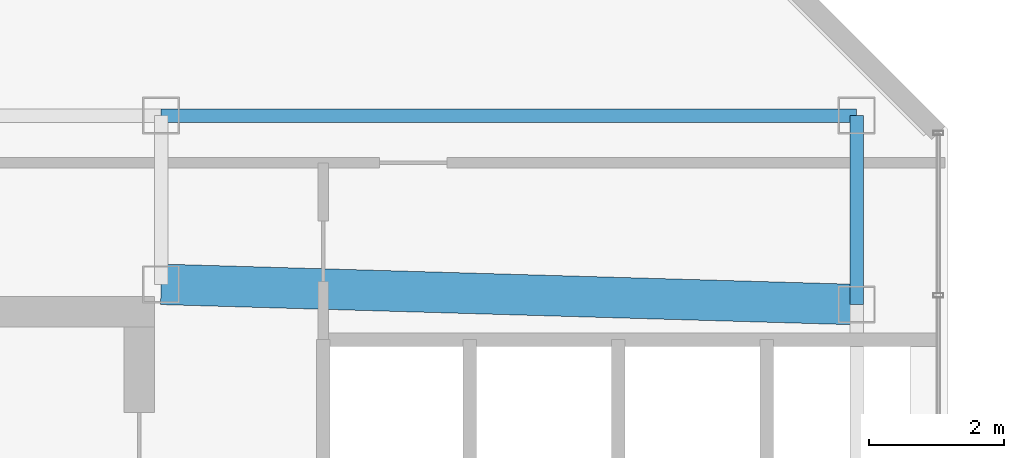
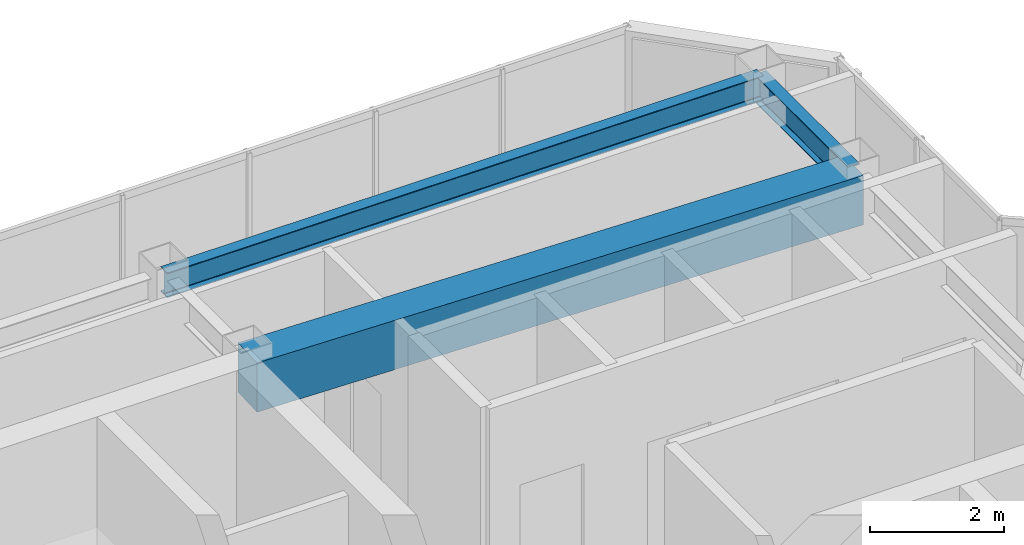
# One storey, part 12 of 23: 3 beams.
"""IFC4 building model written with IfcOpenShell, lengths in metres."""

from ifc_helpers import new_model, si_unit, direction, frame, origin, origin_2d, place, context, subcontext, project, spatial, rectangle, i_section, extrude, material, material_profile, profile_set, type_object, element, save


model = new_model("IFC4")

# Units and contexts
model_context = context("Model", 3, precision=1e-05, world=origin(), true_north=direction((0.0, 1.0)))
body_context = subcontext(model_context, "Body", "Model", "MODEL_VIEW")
ifc_project = project(units=[si_unit("LENGTHUNIT", "METRE"), si_unit("AREAUNIT", "SQUARE_METRE"), si_unit("VOLUMEUNIT", "CUBIC_METRE"), si_unit("PLANEANGLEUNIT", "RADIAN"), si_unit("MASSUNIT", "GRAM", prefix="KILO")], contexts=[model_context])

# Site, building, storey
site_placement = place(None, origin())
site = spatial("IfcSite", under=ifc_project, at=site_placement, CompositionType="ELEMENT")
building_placement = place(site_placement, origin())
building = spatial("IfcBuilding", under=site, at=building_placement, Name="Hatsunagi Terrace Concourse", CompositionType="ELEMENT")
storey_placement = place(building_placement, frame((0.0, 0.0, 281.949951171875)))
storey = spatial("IfcBuildingStorey", under=building, at=storey_placement, Name="L74", CompositionType="ELEMENT", Elevation=281.949951171875)

# Beams
ifc_material_1 = material(Name="Concrete Fc42", Category="concrete")
ifc_material_profile_1 = material_profile(ifc_material_1, rectangle(XDim=0.60009765625, YDim=0.89990234375, at=origin_2d()), Name="RC-600x900")
ifc_profile_set_1 = profile_set([ifc_material_profile_1], Name="Concrete Fc42")
beam_type_1 = type_object("IfcBeamType", Name="CoreCouplingBeam_RC_600x900", PredefinedType="BEAM", material=ifc_profile_set_1)
beam_1_placement = place(storey_placement, frame((33.35009765625, 43.300048828125, 3.300048828125), z_axis=(0.999575947545, -0.029119153303, 0.0), x_axis=(0.029119153303, 0.999575947545, 0.0)))
element("IfcBeam", 1, at=beam_1_placement, inside=storey, type_object=beam_type_1, Name="Beam CB-03 CB-L74-2", PredefinedType="BEAM", context=body_context, shape_type="SweptSolid", body=[
    extrude(rectangle(XDim=0.60009765625, YDim=0.89990234375, at=origin_2d()), origin(), (0.0, 0.0, 1.0), 10.30419921875),
])
ifc_material_2 = material(Name="Steel SN490B", Category="steel")
ifc_material_profile_2 = material_profile(ifc_material_2, i_section(OverallWidth=0.199951171875, OverallDepth=0.5, WebThickness=0.010009765625, FlangeThickness=0.01611328125, FilletRadius=0.01611328125, at=origin_2d()), Name="H-500x200x10x16")
ifc_profile_set_2 = profile_set([ifc_material_profile_2], Name="Steel SN490B")
beam_type_2 = type_object("IfcBeamType", Name="CrownFloorGirder_H_500x200", PredefinedType="BEAM", material=ifc_profile_set_2)
beam_2_placement = place(storey_placement, frame((43.64990234375, 43.0, 3.5), z_axis=(0.0, 1.0, 0.0), x_axis=(-1.0, 0.0, 0.0)))
element("IfcBeam", 2, at=beam_2_placement, inside=storey, type_object=beam_type_2, Name="Beam G-07 BM-L74-CN3", PredefinedType="BEAM", context=body_context, shape_type="SweptSolid", body=[
    extrude(i_section(OverallWidth=0.199951171875, OverallDepth=0.5, WebThickness=0.010009765625, FlangeThickness=0.01611328125, FilletRadius=0.01611328125, at=origin_2d()), origin(), (0.0, 0.0, 1.0), 2.800048828125),
])
ifc_material_3 = material(Name="Steel SN490B", Category="steel")
ifc_material_profile_3 = material_profile(ifc_material_3, i_section(OverallWidth=0.199951171875, OverallDepth=0.449951171875, WebThickness=0.009033203125, FlangeThickness=0.013916015625, FilletRadius=0.01611328125, at=origin_2d()), Name="H-450x200x9x14")
ifc_profile_set_3 = profile_set([ifc_material_profile_3], Name="Steel SN490B")
beam_type_3 = type_object("IfcBeamType", Name="PerimeterSpandrel_H_450x200", PredefinedType="SPANDREL", material=ifc_profile_set_3)
beam_3_placement = place(storey_placement, frame((33.35009765625, 45.800048828125, 3.525146484375), z_axis=(1.0, 0.0, 0.0), x_axis=(0.0, 1.0, 0.0)))
element("IfcBeam", 3, at=beam_3_placement, inside=storey, type_object=beam_type_3, Name="Beam SP-02 BM-L74-CNEW2", PredefinedType="SPANDREL", context=body_context, shape_type="SweptSolid", body=[
    extrude(i_section(OverallWidth=0.199951171875, OverallDepth=0.449951171875, WebThickness=0.009033203125, FlangeThickness=0.013916015625, FilletRadius=0.01611328125, at=origin_2d()), origin(), (0.0, 0.0, 1.0), 10.2998046875),
])

save(model, "model.ifc")
